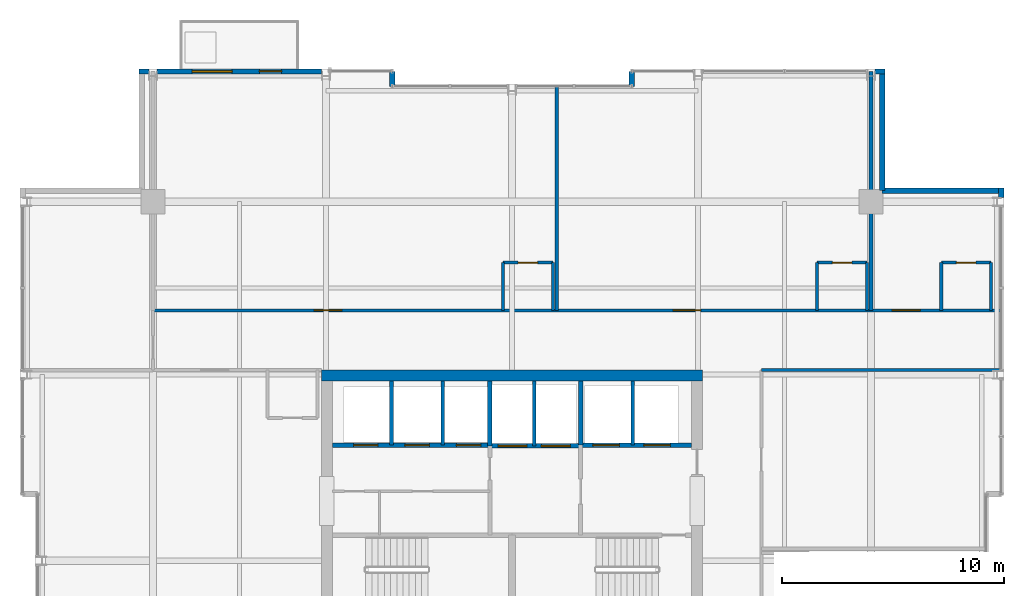
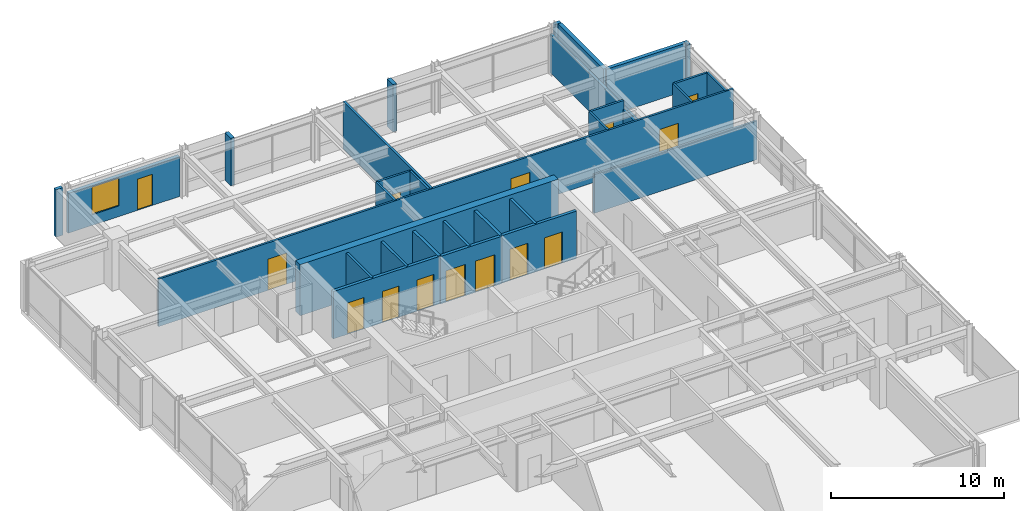
# One storey, part 27 of 30: 31 walls, 14 doors, 1 window, 15 openings.
"""IFC4 building model written with IfcOpenShell, lengths in metres."""

from ifc_helpers import new_model, si_unit, direction, frame, frame_2d, origin, place, context, subcontext, project, spatial, rectangle, extrude, material, layer, layer_set, type_object, element, fill, save


model = new_model("IFC4")

# Units and contexts
model_context = context("Model", 3, precision=1e-05, world=origin(), true_north=direction((0.0, 1.0)))
body_context = subcontext(model_context, "Body", "Model", "MODEL_VIEW")
ifc_project = project(units=[si_unit("LENGTHUNIT", "METRE"), si_unit("AREAUNIT", "SQUARE_METRE"), si_unit("VOLUMEUNIT", "CUBIC_METRE"), si_unit("PLANEANGLEUNIT", "RADIAN"), si_unit("MASSUNIT", "GRAM", prefix="KILO")], contexts=[model_context])

# Site, building, storey
site_placement = place(None, origin())
site = spatial("IfcSite", under=ifc_project, at=site_placement, CompositionType="ELEMENT")
building_placement = place(site_placement, origin())
building = spatial("IfcBuilding", under=site, at=building_placement, Name="Drelvath Grand Hotel", CompositionType="ELEMENT")
storey_placement = place(building_placement, frame((0.0, 0.0, 215.89990234375)))
storey = spatial("IfcBuildingStorey", under=building, at=storey_placement, Name="L56", CompositionType="ELEMENT", Elevation=215.89990234375)

# Wall, openings, doors
ifc_material_1 = material(Name="Concrete C40/50", Category="concrete")
ifc_layer_1 = layer(ifc_material_1, 0.199951171875)
ifc_layer_set_1 = layer_set([ifc_layer_1], Name="Concrete C40/50")
wall_type_1 = type_object("IfcWallType", Name="Core Hoistway Fire Wall 200", PredefinedType="SOLIDWALL", material=ifc_layer_set_1)
wall_1_placement = place(storey_placement, frame((3.10009765625, 32.219970703125, 0.0), z_axis=(0.0, 0.0, 1.0), x_axis=(1.0, 0.0, 0.0)))
wall_1 = element("IfcWall", 1, at=wall_1_placement, inside=storey, type_object=wall_type_1, Name="L56 FSAE Hoistway Front Wall", PredefinedType="SOLIDWALL", context=body_context, shape_type="SweptSolid", body=[
    extrude(rectangle(XDim=5.0, YDim=0.199951171875, at=frame_2d((2.5, 0.0))), origin(), (0.0, 0.0, 1.0), 3.340087890625),
])
opening_1_placement = place(wall_1_placement, frame((0.550048828125, 0.0, 0.0)))
opening_1 = element("IfcOpeningElement", 2, at=opening_1_placement, cuts=wall_1, Name="Opening LD-FSAE-1", PredefinedType="OPENING", context=body_context, shape_type="SweptSolid", body=[
    extrude(rectangle(XDim=1.199951171875, YDim=2.199951171875, at=frame_2d((0.60009765625, 1.10009765625))), frame((0.0, 0.10986328125, 0.0), z_axis=(0.0, -1.0, 0.0), x_axis=(1.0, 0.0, 0.0)), (0.0, 0.0, 1.0), 0.219970703125),
])
opening_2_placement = place(wall_1_placement, frame((2.85009765625, 0.0, 0.0)))
opening_2 = element("IfcOpeningElement", 3, at=opening_2_placement, cuts=wall_1, Name="Opening LD-FSAE-2", PredefinedType="OPENING", context=body_context, shape_type="SweptSolid", body=[
    extrude(rectangle(XDim=1.199951171875, YDim=2.199951171875, at=frame_2d((0.60009765625, 1.10009765625))), frame((0.0, 0.10986328125, 0.0), z_axis=(0.0, -1.0, 0.0), x_axis=(1.0, 0.0, 0.0)), (0.0, 0.0, 1.0), 0.219970703125),
])
ifc_material_2 = material(Name="Stainless Steel S355", Category="steel")
door_type_1 = type_object("IfcDoorType", Name="FSAE Lift Sliding Landing Door 1200x2200", OperationType="NOTDEFINED", PredefinedType="DOOR", material=ifc_material_2)
door_1_placement = place(opening_1_placement, origin())
door_1 = element("IfcDoor", 4, at=door_1_placement, inside=storey, type_object=door_type_1, Name="L56 Lift FSAE-1 Landing Door", OperationType="SLIDING_TO_LEFT", OverallHeight=2.199951171875, OverallWidth=1.199951171875, PredefinedType="DOOR", context=body_context, shape_type="SweptSolid", body=[
    extrude(rectangle(XDim=1.199951171875, YDim=2.199951171875, at=frame_2d((0.60009765625, 1.10009765625))), frame((0.0, 0.02490234375, 0.0), z_axis=(0.0, -1.0, 0.0), x_axis=(1.0, 0.0, 0.0)), (0.0, 0.0, 1.0), 0.050048828125),
])
fill(opening_1, door_1)
door_2_placement = place(opening_2_placement, origin())
door_2 = element("IfcDoor", 5, at=door_2_placement, inside=storey, type_object=door_type_1, Name="L56 Lift FSAE-2 Landing Door", OperationType="SLIDING_TO_LEFT", OverallHeight=2.199951171875, OverallWidth=1.199951171875, PredefinedType="DOOR", context=body_context, shape_type="SweptSolid", body=[
    extrude(rectangle(XDim=1.199951171875, YDim=2.199951171875, at=frame_2d((0.60009765625, 1.10009765625))), frame((0.0, 0.02490234375, 0.0), z_axis=(0.0, -1.0, 0.0), x_axis=(1.0, 0.0, 0.0)), (0.0, 0.0, 1.0), 0.050048828125),
])
fill(opening_2, door_2)

# Wall
wall_2_placement = place(storey_placement, frame((3.10009765625, 32.219970703125, 0.0), z_axis=(0.0, 0.0, 1.0), x_axis=(0.0, 1.0, 0.0)))
element("IfcWall", 6, at=wall_2_placement, inside=storey, type_object=wall_type_1, Name="L56 FSAE Hoistway West Wall", PredefinedType="SOLIDWALL", context=body_context, shape_type="SweptSolid", body=[
    extrude(rectangle(XDim=2.880126953125, YDim=0.199951171875, at=frame_2d((1.43994140625, 0.0))), origin(), (0.0, 0.0, 1.0), 3.340087890625),
])

# Wall, openings, doors
wall_3_placement = place(storey_placement, frame((-1.0, 32.179931640625, 0.0), z_axis=(0.0, 0.0, 1.0), x_axis=(1.0, 0.0, 0.0)))
wall_3 = element("IfcWall", 7, at=wall_3_placement, inside=storey, type_object=wall_type_1, Name="L56 Service Lift Hoistway Wall", PredefinedType="SOLIDWALL", context=body_context, shape_type="SweptSolid", body=[
    extrude(rectangle(XDim=4.10009765625, YDim=0.199951171875, at=frame_2d((2.050048828125, 0.0))), origin(), (0.0, 0.0, 1.0), 3.340087890625),
])
opening_3_placement = place(wall_3_placement, frame((0.3701171875, 0.0, 0.0)))
opening_3 = element("IfcOpeningElement", 8, at=opening_3_placement, cuts=wall_3, Name="Opening LD-SV-2", PredefinedType="OPENING", context=body_context, shape_type="SweptSolid", body=[
    extrude(rectangle(XDim=1.300048828125, YDim=2.199951171875, at=frame_2d((0.64990234375, 1.10009765625))), frame((0.0, 0.10986328125, 0.0), z_axis=(0.0, -1.0, 0.0), x_axis=(1.0, 0.0, 0.0)), (0.0, 0.0, 1.0), 0.219970703125),
])
opening_4_placement = place(wall_3_placement, frame((2.330078125, 0.0, 0.0)))
opening_4 = element("IfcOpeningElement", 9, at=opening_4_placement, cuts=wall_3, Name="Opening LD-SV-1", PredefinedType="OPENING", context=body_context, shape_type="SweptSolid", body=[
    extrude(rectangle(XDim=1.300048828125, YDim=2.199951171875, at=frame_2d((0.64990234375, 1.10009765625))), frame((0.0, 0.10986328125, 0.0), z_axis=(0.0, -1.0, 0.0), x_axis=(1.0, 0.0, 0.0)), (0.0, 0.0, 1.0), 0.219970703125),
])
door_type_2 = type_object("IfcDoorType", Name="Service Lift Sliding Landing Door 1300x2200", OperationType="NOTDEFINED", PredefinedType="DOOR", material=ifc_material_2)
door_3_placement = place(opening_3_placement, origin())
door_3 = element("IfcDoor", 10, at=door_3_placement, inside=storey, type_object=door_type_2, Name="L56 Lift SV-2 Landing Door", OperationType="SLIDING_TO_LEFT", OverallHeight=2.199951171875, OverallWidth=1.300048828125, PredefinedType="DOOR", context=body_context, shape_type="SweptSolid", body=[
    extrude(rectangle(XDim=1.300048828125, YDim=2.199951171875, at=frame_2d((0.64990234375, 1.10009765625))), frame((0.0, 0.02490234375, 0.0), z_axis=(0.0, -1.0, 0.0), x_axis=(1.0, 0.0, 0.0)), (0.0, 0.0, 1.0), 0.050048828125),
])
fill(opening_3, door_3)
door_4_placement = place(opening_4_placement, origin())
door_4 = element("IfcDoor", 11, at=door_4_placement, inside=storey, type_object=door_type_2, Name="L56 Lift SV-1 Landing Door", OperationType="SLIDING_TO_LEFT", OverallHeight=2.199951171875, OverallWidth=1.300048828125, PredefinedType="DOOR", context=body_context, shape_type="SweptSolid", body=[
    extrude(rectangle(XDim=1.300048828125, YDim=2.199951171875, at=frame_2d((0.64990234375, 1.10009765625))), frame((0.0, 0.02490234375, 0.0), z_axis=(0.0, -1.0, 0.0), x_axis=(1.0, 0.0, 0.0)), (0.0, 0.0, 1.0), 0.050048828125),
])
fill(opening_4, door_4)

# Wall
wall_4_placement = place(storey_placement, frame((-1.0, 32.179931640625, 0.0), z_axis=(0.0, 0.0, 1.0), x_axis=(0.0, 1.0, 0.0)))
element("IfcWall", 12, at=wall_4_placement, inside=storey, type_object=wall_type_1, Name="L56 Service Lift West Wall", PredefinedType="SOLIDWALL", context=body_context, shape_type="SweptSolid", body=[
    extrude(rectangle(XDim=2.920166015625, YDim=0.199951171875, at=frame_2d((1.4599609375, 0.0))), origin(), (0.0, 0.0, 1.0), 3.340087890625),
])

# Wall, openings, doors
wall_5_placement = place(storey_placement, frame((-8.10009765625, 32.219970703125, 0.0), z_axis=(0.0, 0.0, 1.0), x_axis=(1.0, 0.0, 0.0)))
wall_5 = element("IfcWall", 13, at=wall_5_placement, inside=storey, type_object=wall_type_1, Name="L56 Bank 3 Hoistway Wall", PredefinedType="SOLIDWALL", context=body_context, shape_type="SweptSolid", body=[
    extrude(rectangle(XDim=7.10009765625, YDim=0.199951171875, at=frame_2d((3.550048828125, 0.0))), origin(), (0.0, 0.0, 1.0), 3.340087890625),
])
opening_5_placement = place(wall_5_placement, frame((0.949951171875, 0.0, 0.0)))
opening_5 = element("IfcOpeningElement", 14, at=opening_5_placement, cuts=wall_5, Name="Opening LD-PE-7", PredefinedType="OPENING", context=body_context, shape_type="SweptSolid", body=[
    extrude(rectangle(XDim=1.10009765625, YDim=2.199951171875, at=frame_2d((0.550048828125, 1.10009765625))), frame((0.0, 0.10986328125, 0.0), z_axis=(0.0, -1.0, 0.0), x_axis=(1.0, 0.0, 0.0)), (0.0, 0.0, 1.0), 0.219970703125),
])
opening_6_placement = place(wall_5_placement, frame((3.27001953125, 0.0, 0.0)))
opening_6 = element("IfcOpeningElement", 15, at=opening_6_placement, cuts=wall_5, Name="Opening LD-PE-8", PredefinedType="OPENING", context=body_context, shape_type="SweptSolid", body=[
    extrude(rectangle(XDim=1.10009765625, YDim=2.199951171875, at=frame_2d((0.550048828125, 1.10009765625))), frame((0.0, 0.10986328125, 0.0), z_axis=(0.0, -1.0, 0.0), x_axis=(1.0, 0.0, 0.0)), (0.0, 0.0, 1.0), 0.219970703125),
])
opening_7_placement = place(wall_5_placement, frame((5.590087890625, 0.0, 0.0)))
opening_7 = element("IfcOpeningElement", 16, at=opening_7_placement, cuts=wall_5, Name="Opening LD-PE-9", PredefinedType="OPENING", context=body_context, shape_type="SweptSolid", body=[
    extrude(rectangle(XDim=1.10009765625, YDim=2.199951171875, at=frame_2d((0.550048828125, 1.10009765625))), frame((0.0, 0.10986328125, 0.0), z_axis=(0.0, -1.0, 0.0), x_axis=(1.0, 0.0, 0.0)), (0.0, 0.0, 1.0), 0.219970703125),
])
door_type_3 = type_object("IfcDoorType", Name="Passenger Lift Sliding Landing Door 1100x2200", OperationType="NOTDEFINED", PredefinedType="DOOR", material=ifc_material_2)
door_5_placement = place(opening_5_placement, origin())
door_5 = element("IfcDoor", 17, at=door_5_placement, inside=storey, type_object=door_type_3, Name="L56 Lift PE-7 Landing Door", OperationType="SLIDING_TO_LEFT", OverallHeight=2.199951171875, OverallWidth=1.10009765625, PredefinedType="DOOR", context=body_context, shape_type="SweptSolid", body=[
    extrude(rectangle(XDim=1.10009765625, YDim=2.199951171875, at=frame_2d((0.550048828125, 1.10009765625))), frame((0.0, 0.02490234375, 0.0), z_axis=(0.0, -1.0, 0.0), x_axis=(1.0, 0.0, 0.0)), (0.0, 0.0, 1.0), 0.050048828125),
])
fill(opening_5, door_5)
door_6_placement = place(opening_6_placement, origin())
door_6 = element("IfcDoor", 18, at=door_6_placement, inside=storey, type_object=door_type_3, Name="L56 Lift PE-8 Landing Door", OperationType="SLIDING_TO_LEFT", OverallHeight=2.199951171875, OverallWidth=1.10009765625, PredefinedType="DOOR", context=body_context, shape_type="SweptSolid", body=[
    extrude(rectangle(XDim=1.10009765625, YDim=2.199951171875, at=frame_2d((0.550048828125, 1.10009765625))), frame((0.0, 0.02490234375, 0.0), z_axis=(0.0, -1.0, 0.0), x_axis=(1.0, 0.0, 0.0)), (0.0, 0.0, 1.0), 0.050048828125),
])
fill(opening_6, door_6)
door_7_placement = place(opening_7_placement, origin())
door_7 = element("IfcDoor", 19, at=door_7_placement, inside=storey, type_object=door_type_3, Name="L56 Lift PE-9 Landing Door", OperationType="SLIDING_TO_LEFT", OverallHeight=2.199951171875, OverallWidth=1.10009765625, PredefinedType="DOOR", context=body_context, shape_type="SweptSolid", body=[
    extrude(rectangle(XDim=1.10009765625, YDim=2.199951171875, at=frame_2d((0.550048828125, 1.10009765625))), frame((0.0, 0.02490234375, 0.0), z_axis=(0.0, -1.0, 0.0), x_axis=(1.0, 0.0, 0.0)), (0.0, 0.0, 1.0), 0.050048828125),
])
fill(opening_7, door_7)

# Walls
ifc_material_3 = material(Name="Gypsum Fireboard Partition")
ifc_layer_2 = layer(ifc_material_3, 0.1650390625)
ifc_layer_set_2 = layer_set([ifc_layer_2], Name="Gypsum Fireboard Partition")
wall_type_2 = type_object("IfcWallType", Name="Core Shaft Partition 165", PredefinedType="PARTITIONING", material=ifc_layer_set_2)
wall_6_placement = place(storey_placement, frame((5.449951171875, 32.219970703125, 0.0), z_axis=(0.0, 0.0, 1.0), x_axis=(0.0, 1.0, 0.0)))
element("IfcWall", 20, at=wall_6_placement, inside=storey, type_object=wall_type_2, Name="L56 FSAE Hoistway Divider", PredefinedType="PARTITIONING", context=body_context, shape_type="SweptSolid", body=[
    extrude(rectangle(XDim=2.880126953125, YDim=0.1650390625, at=frame_2d((1.43994140625, 0.0))), origin(), (0.0, 0.0, 1.0), 3.340087890625),
])
wall_7_placement = place(storey_placement, frame((1.0, 32.179931640625, 0.0), z_axis=(0.0, 0.0, 1.0), x_axis=(0.0, 1.0, 0.0)))
element("IfcWall", 21, at=wall_7_placement, inside=storey, type_object=wall_type_2, Name="L56 Service Lift Divider", PredefinedType="PARTITIONING", context=body_context, shape_type="SweptSolid", body=[
    extrude(rectangle(XDim=2.920166015625, YDim=0.1650390625, at=frame_2d((1.4599609375, 0.0))), origin(), (0.0, 0.0, 1.0), 3.340087890625),
])
for number, where, z_axis, x_axis, name in (
    (22, (-5.43994140625, 32.219970703125, 0.0), (0.0, 0.0, 1.0), (0.0, 1.0, 0.0), "L56 Lift PE-7/8 Divider"),
    (23, (-3.1201171875, 32.219970703125, 0.0), (0.0, 0.0, 1.0), (0.0, 1.0, 0.0), "L56 Lift PE-8/9 Divider"),
):
    element("IfcWall", number, at=place(storey_placement, frame(where, z_axis=z_axis, x_axis=x_axis)), inside=storey, type_object=wall_type_2, Name=name, PredefinedType="PARTITIONING", context=body_context, shape_type="SweptSolid", body=[
        extrude(rectangle(XDim=2.880126953125, YDim=0.1650390625, at=frame_2d((1.43994140625, 0.0))), origin(), (0.0, 0.0, 1.0), 3.340087890625),
    ])

# Wall, openings, doors
ifc_layer_3 = layer(ifc_material_3, 0.135009765625)
ifc_layer_set_3 = layer_set([ifc_layer_3], Name="Gypsum Fireboard Partition")
wall_type_3 = type_object("IfcWallType", Name="Corridor Fire Barrier Wall 135", PredefinedType="PARTITIONING", material=ifc_layer_set_3)
wall_8_placement = place(storey_placement, frame((-16.199951171875, 38.300048828125, 0.0), z_axis=(0.0, 0.0, 1.0), x_axis=(1.0, 0.0, 0.0)))
wall_8 = element("IfcWall", 24, at=wall_8_placement, inside=storey, type_object=wall_type_3, Name="L56 North Cross-Gallery Wall", PredefinedType="PARTITIONING", context=body_context, shape_type="SweptSolid", body=[
    extrude(rectangle(XDim=38.280029296875, YDim=0.135009765625, at=frame_2d((19.14013671875, 0.0))), origin(), (0.0, 0.0, 1.0), 3.340087890625),
])
opening_8_placement = place(wall_8_placement, frame((33.35498046875, 0.0, 0.0)))
opening_8 = element("IfcOpeningElement", 25, at=opening_8_placement, cuts=wall_8, Name="Opening D-T4G2-025", PredefinedType="OPENING", context=body_context, shape_type="SweptSolid", body=[
    extrude(rectangle(XDim=1.260009765625, YDim=2.199951171875, at=frame_2d((0.6298828125, 1.10009765625))), frame((0.0, 0.077392578125, 0.0), z_axis=(0.0, -1.0, 0.0), x_axis=(1.0, 0.0, 0.0)), (0.0, 0.0, 1.0), 0.155029296875),
])
opening_9_placement = place(wall_8_placement, frame((7.267578125, 0.0, 0.0)))
opening_9 = element("IfcOpeningElement", 26, at=opening_9_placement, cuts=wall_8, Name="Opening D-T4G2-032", PredefinedType="OPENING", context=body_context, shape_type="SweptSolid", body=[
    extrude(rectangle(XDim=1.260009765625, YDim=2.199951171875, at=frame_2d((0.6298828125, 1.10009765625))), frame((0.0, 0.077392578125, 0.0), z_axis=(0.0, -1.0, 0.0), x_axis=(1.0, 0.0, 0.0)), (0.0, 0.0, 1.0), 0.155029296875),
])
opening_10_placement = place(wall_8_placement, frame((23.467529296875, 0.0, 0.0)))
opening_10 = element("IfcOpeningElement", 27, at=opening_10_placement, cuts=wall_8, Name="Opening D-T4G2-034", PredefinedType="OPENING", context=body_context, shape_type="SweptSolid", body=[
    extrude(rectangle(XDim=1.260009765625, YDim=2.199951171875, at=frame_2d((0.6298828125, 1.10009765625))), frame((0.0, 0.077392578125, 0.0), z_axis=(0.0, -1.0, 0.0), x_axis=(1.0, 0.0, 0.0)), (0.0, 0.0, 1.0), 0.155029296875),
])
ifc_material_4 = material(Name="Hardwood Walnut Timber", Category="wood")
door_type_4 = type_object("IfcDoorType", Name="Suite Entrance Fire Door 1260x2200", OperationType="NOTDEFINED", PredefinedType="DOOR", material=ifc_material_4)
door_8_placement = place(opening_8_placement, origin())
door_8 = element("IfcDoor", 28, at=door_8_placement, inside=storey, type_object=door_type_4, Name="L56 Diplomatic Suite Entry Door", OperationType="SINGLE_SWING_RIGHT", OverallHeight=2.199951171875, OverallWidth=1.260009765625, PredefinedType="DOOR", context=body_context, shape_type="SweptSolid", body=[
    extrude(rectangle(XDim=1.260009765625, YDim=2.199951171875, at=frame_2d((0.6298828125, 1.10009765625))), frame((0.0, 0.02490234375, 0.0), z_axis=(0.0, -1.0, 0.0), x_axis=(1.0, 0.0, 0.0)), (0.0, 0.0, 1.0), 0.050048828125),
])
fill(opening_8, door_8)
door_9_placement = place(opening_9_placement, origin())
door_9 = element("IfcDoor", 29, at=door_9_placement, inside=storey, type_object=door_type_4, Name="L56 Diplomatic Suite Entry Door", OperationType="SINGLE_SWING_LEFT", OverallHeight=2.199951171875, OverallWidth=1.260009765625, PredefinedType="DOOR", context=body_context, shape_type="SweptSolid", body=[
    extrude(rectangle(XDim=1.260009765625, YDim=2.199951171875, at=frame_2d((0.6298828125, 1.10009765625))), frame((0.0, 0.02490234375, 0.0), z_axis=(0.0, -1.0, 0.0), x_axis=(1.0, 0.0, 0.0)), (0.0, 0.0, 1.0), 0.050048828125),
])
fill(opening_9, door_9)
door_10_placement = place(opening_10_placement, origin())
door_10 = element("IfcDoor", 30, at=door_10_placement, inside=storey, type_object=door_type_4, Name="L56 Diplomatic Suite Entry Door", OperationType="SINGLE_SWING_LEFT", OverallHeight=2.199951171875, OverallWidth=1.260009765625, PredefinedType="DOOR", context=body_context, shape_type="SweptSolid", body=[
    extrude(rectangle(XDim=1.260009765625, YDim=2.199951171875, at=frame_2d((0.6298828125, 1.10009765625))), frame((0.0, 0.02490234375, 0.0), z_axis=(0.0, -1.0, 0.0), x_axis=(1.0, 0.0, 0.0)), (0.0, 0.0, 1.0), 0.050048828125),
])
fill(opening_10, door_10)

# Walls
wall_9_placement = place(storey_placement, frame((11.25, 35.60009765625, 0.0), z_axis=(0.0, 0.0, 1.0), x_axis=(1.0, 0.0, 0.0)))
element("IfcWall", 31, at=wall_9_placement, inside=storey, type_object=wall_type_3, Name="L56 North Gallery Inner East Wall", PredefinedType="PARTITIONING", context=body_context, shape_type="SweptSolid", body=[
    extrude(rectangle(XDim=10.830078125, YDim=0.135009765625, at=frame_2d((5.4150390625, 0.0))), origin(), (0.0, 0.0, 1.0), 2.717529296875),
])
ifc_material_5 = material(Name="Moisture-Resistant Gypsum Board")
ifc_layer_4 = layer(ifc_material_5, 0.139892578125)
ifc_layer_set_4 = layer_set([ifc_layer_4], Name="Moisture-Resistant Gypsum Board")
wall_type_4 = type_object("IfcWallType", Name="En-Suite Plumbing Wall 140", PredefinedType="PLUMBINGWALL", material=ifc_layer_set_4)
for number, where, z_axis, x_axis, name in (
    (32, (19.3701171875, 38.300048828125, 0.0), (0.0, 0.0, 1.0), (0.0, 1.0, 0.0), "L56 En-Suite Left Wall"),
    (33, (21.6201171875, 38.300048828125, 0.0), (0.0, 0.0, 1.0), (0.0, 1.0, 0.0), "L56 En-Suite Right Wall"),
):
    element("IfcWall", number, at=place(storey_placement, frame(where, z_axis=z_axis, x_axis=x_axis)), inside=storey, type_object=wall_type_4, Name=name, PredefinedType="PLUMBINGWALL", context=body_context, shape_type="SweptSolid", body=[
        extrude(rectangle(XDim=2.14990234375, YDim=0.139892578125, at=frame_2d((1.074951171875, 0.0))), origin(), (0.0, 0.0, 1.0), 3.340087890625),
    ])

# Wall, opening, door
wall_10_placement = place(storey_placement, frame((19.3701171875, 40.449951171875, 0.0), z_axis=(0.0, 0.0, 1.0), x_axis=(1.0, 0.0, 0.0)))
wall_10 = element("IfcWall", 34, at=wall_10_placement, inside=storey, type_object=wall_type_4, Name="L56 En-Suite Front Wall", PredefinedType="PLUMBINGWALL", context=body_context, shape_type="SweptSolid", body=[
    extrude(rectangle(XDim=2.25, YDim=0.139892578125, at=frame_2d((1.125, 0.0))), origin(), (0.0, 0.0, 1.0), 3.340087890625),
])
opening_11_placement = place(wall_10_placement, frame((0.68505859375, 0.0, 0.0)))
opening_11 = element("IfcOpeningElement", 35, at=opening_11_placement, cuts=wall_10, Name="Opening D-T4G2-024", PredefinedType="OPENING", context=body_context, shape_type="SweptSolid", body=[
    extrude(rectangle(XDim=0.8798828125, YDim=2.10009765625, at=frame_2d((0.43994140625, 1.050048828125))), frame((0.0, 0.079833984375, 0.0), z_axis=(0.0, -1.0, 0.0), x_axis=(1.0, 0.0, 0.0)), (0.0, 0.0, 1.0), 0.159912109375),
])
door_type_5 = type_object("IfcDoorType", Name="En-Suite Bathroom Door 880x2100", OperationType="NOTDEFINED", PredefinedType="DOOR", material=ifc_material_4)
door_11_placement = place(opening_11_placement, origin())
door_11 = element("IfcDoor", 36, at=door_11_placement, inside=storey, type_object=door_type_5, Name="L56 En-Suite Bathroom Door", OperationType="SINGLE_SWING_LEFT", OverallHeight=2.10009765625, OverallWidth=0.8798828125, PredefinedType="DOOR", context=body_context, shape_type="SweptSolid", body=[
    extrude(rectangle(XDim=0.8798828125, YDim=2.10009765625, at=frame_2d((0.43994140625, 1.050048828125))), frame((0.0, 0.02490234375, 0.0), z_axis=(0.0, -1.0, 0.0), x_axis=(1.0, 0.0, 0.0)), (0.0, 0.0, 1.0), 0.050048828125),
])
fill(opening_11, door_11)

# Walls
for number, where, z_axis, x_axis, name in (
    (37, (-0.405029296875, 38.300048828125, 0.0), (0.0, 0.0, 1.0), (0.0, 1.0, 0.0), "L56 En-Suite Left Wall"),
    (38, (1.844970703125, 38.300048828125, 0.0), (0.0, 0.0, 1.0), (0.0, 1.0, 0.0), "L56 En-Suite Right Wall"),
):
    element("IfcWall", number, at=place(storey_placement, frame(where, z_axis=z_axis, x_axis=x_axis)), inside=storey, type_object=wall_type_4, Name=name, PredefinedType="PLUMBINGWALL", context=body_context, shape_type="SweptSolid", body=[
        extrude(rectangle(XDim=2.14990234375, YDim=0.139892578125, at=frame_2d((1.074951171875, 0.0))), origin(), (0.0, 0.0, 1.0), 3.340087890625),
    ])

# Wall, opening, door
wall_11_placement = place(storey_placement, frame((-0.405029296875, 40.449951171875, 0.0), z_axis=(0.0, 0.0, 1.0), x_axis=(1.0, 0.0, 0.0)))
wall_11 = element("IfcWall", 39, at=wall_11_placement, inside=storey, type_object=wall_type_4, Name="L56 En-Suite Front Wall", PredefinedType="PLUMBINGWALL", context=body_context, shape_type="SweptSolid", body=[
    extrude(rectangle(XDim=2.25, YDim=0.139892578125, at=frame_2d((1.125, 0.0))), origin(), (0.0, 0.0, 1.0), 3.340087890625),
])
opening_12_placement = place(wall_11_placement, frame((0.68505859375, 0.0, 0.0)))
opening_12 = element("IfcOpeningElement", 40, at=opening_12_placement, cuts=wall_11, Name="Opening D-T4G2-031", PredefinedType="OPENING", context=body_context, shape_type="SweptSolid", body=[
    extrude(rectangle(XDim=0.8798828125, YDim=2.10009765625, at=frame_2d((0.43994140625, 1.050048828125))), frame((0.0, 0.079833984375, 0.0), z_axis=(0.0, -1.0, 0.0), x_axis=(1.0, 0.0, 0.0)), (0.0, 0.0, 1.0), 0.159912109375),
])
door_12_placement = place(opening_12_placement, origin())
door_12 = element("IfcDoor", 41, at=door_12_placement, inside=storey, type_object=door_type_5, Name="L56 En-Suite Bathroom Door", OperationType="SINGLE_SWING_RIGHT", OverallHeight=2.10009765625, OverallWidth=0.8798828125, PredefinedType="DOOR", context=body_context, shape_type="SweptSolid", body=[
    extrude(rectangle(XDim=0.8798828125, YDim=2.10009765625, at=frame_2d((0.43994140625, 1.050048828125))), frame((0.0, 0.02490234375, 0.0), z_axis=(0.0, -1.0, 0.0), x_axis=(1.0, 0.0, 0.0)), (0.0, 0.0, 1.0), 0.050048828125),
])
fill(opening_12, door_12)

# Walls
wall_12_placement = place(storey_placement, frame((13.77001953125, 38.300048828125, 0.0), z_axis=(0.0, 0.0, 1.0), x_axis=(0.0, 1.0, 0.0)))
element("IfcWall", 42, at=wall_12_placement, inside=storey, type_object=wall_type_4, Name="L56 En-Suite Left Wall", PredefinedType="PLUMBINGWALL", context=body_context, shape_type="SweptSolid", body=[
    extrude(rectangle(XDim=2.14990234375, YDim=0.139892578125, at=frame_2d((1.074951171875, 0.0))), origin(), (0.0, 0.0, 1.0), 3.340087890625),
])
wall_13_placement = place(storey_placement, frame((16.02001953125, 38.300048828125, 0.0), z_axis=(0.0, 0.0, 1.0), x_axis=(0.0, 1.0, 0.0)))
element("IfcWall", 43, at=wall_13_placement, inside=storey, type_object=wall_type_4, Name="L56 En-Suite Right Wall", PredefinedType="PLUMBINGWALL", context=body_context, shape_type="SweptSolid", body=[
    extrude(rectangle(XDim=2.14990234375, YDim=0.139892578125, at=frame_2d((1.074951171875, 0.0))), origin(), (0.0, 0.0, 1.0), 2.7138671875),
])

# Wall, opening, door
wall_14_placement = place(storey_placement, frame((13.77001953125, 40.449951171875, 0.0), z_axis=(0.0, 0.0, 1.0), x_axis=(1.0, 0.0, 0.0)))
wall_14 = element("IfcWall", 44, at=wall_14_placement, inside=storey, type_object=wall_type_4, Name="L56 En-Suite Front Wall", PredefinedType="PLUMBINGWALL", context=body_context, shape_type="SweptSolid", body=[
    extrude(rectangle(XDim=2.25, YDim=0.139892578125, at=frame_2d((1.125, 0.0))), origin(), (0.0, 0.0, 1.0), 3.340087890625),
])
opening_13_placement = place(wall_14_placement, frame((0.68505859375, 0.0, 0.0)))
opening_13 = element("IfcOpeningElement", 45, at=opening_13_placement, cuts=wall_14, Name="Opening D-T4G2-033", PredefinedType="OPENING", context=body_context, shape_type="SweptSolid", body=[
    extrude(rectangle(XDim=0.8798828125, YDim=2.10009765625, at=frame_2d((0.43994140625, 1.050048828125))), frame((0.0, 0.079833984375, 0.0), z_axis=(0.0, -1.0, 0.0), x_axis=(1.0, 0.0, 0.0)), (0.0, 0.0, 1.0), 0.159912109375),
])
door_13_placement = place(opening_13_placement, origin())
door_13 = element("IfcDoor", 46, at=door_13_placement, inside=storey, type_object=door_type_5, Name="L56 En-Suite Bathroom Door", OperationType="SINGLE_SWING_RIGHT", OverallHeight=2.10009765625, OverallWidth=0.8798828125, PredefinedType="DOOR", context=body_context, shape_type="SweptSolid", body=[
    extrude(rectangle(XDim=0.8798828125, YDim=2.10009765625, at=frame_2d((0.43994140625, 1.050048828125))), frame((0.0, 0.02490234375, 0.0), z_axis=(0.0, -1.0, 0.0), x_axis=(1.0, 0.0, 0.0)), (0.0, 0.0, 1.0), 0.050048828125),
])
fill(opening_13, door_13)

# Walls
ifc_material_6 = material(Name="Gypsum Acoustic Partition")
ifc_layer_5 = layer(ifc_material_6, 0.14990234375)
ifc_layer_set_5 = layer_set([ifc_layer_5], Name="Gypsum Acoustic Partition")
wall_type_5 = type_object("IfcWallType", Name="Guestroom Demising Wall 150", PredefinedType="PARTITIONING", material=ifc_layer_set_5)
wall_15_placement = place(storey_placement, frame((2.02490234375, 38.300048828125, 0.0), z_axis=(0.0, 0.0, 1.0), x_axis=(0.0, 1.0, 0.0)))
element("IfcWall", 47, at=wall_15_placement, inside=storey, type_object=wall_type_5, Name="L56 North Demising 1", PredefinedType="PARTITIONING", context=body_context, shape_type="SweptSolid", body=[
    extrude(rectangle(XDim=10.099853515625, YDim=0.14990234375, at=frame_2d((5.0498046875, 0.0))), origin(), (0.0, 0.0, 1.0), 3.340087890625),
])
ifc_layer_6 = layer(ifc_material_6, 0.1650390625)
ifc_layer_set_6 = layer_set([ifc_layer_6], Name="Gypsum Acoustic Partition")
wall_type_6 = type_object("IfcWallType", Name="Suite Demising Wall 165", PredefinedType="PARTITIONING", material=ifc_layer_set_6)
wall_16_placement = place(storey_placement, frame((16.199951171875, 38.300048828125, 0.0), z_axis=(0.0, 0.0, 1.0), x_axis=(0.0, 1.0, 0.0)))
element("IfcWall", 48, at=wall_16_placement, inside=storey, type_object=wall_type_6, Name="L56 NE Suite Wall", PredefinedType="PARTITIONING", context=body_context, shape_type="SweptSolid", body=[
    extrude(rectangle(XDim=10.780029296875, YDim=0.1650390625, at=frame_2d((5.39013671875, 0.0))), origin(), (0.0, 0.0, 1.0), 2.7138671875),
])
ifc_material_7 = material(Name="Pale-Metal Insulated Aluminium Spandrel Assembly", Category="aluminium")
ifc_layer_7 = layer(ifc_material_7, 0.239990234375)
ifc_layer_set_7 = layer_set([ifc_layer_7], Name="Pale-Metal Insulated Aluminium Spandrel Assembly")
wall_type_7 = type_object("IfcWallType", Name="Tower Insulated Metal Spandrel Closure Wall 240", PredefinedType="STANDARD", material=ifc_layer_set_7)
for number, where, z_axis, x_axis, name in (
    (49, (22.080078125, 43.820068359375, 0.0), (0.0, 0.0, 1.0), (0.0, -1.0, 0.0), "L56 Corner Pier Spandrel Wall EN3"),
    (50, (-16.820068359375, 49.080078125, 0.0), (0.0, 0.0, 1.0), (1.0, 0.0, 0.0), "L56 Corner Pier Spandrel Wall NW1"),
):
    element("IfcWall", number, at=place(storey_placement, frame(where, z_axis=z_axis, x_axis=x_axis)), inside=storey, type_object=wall_type_7, Name=name, PredefinedType="STANDARD", context=body_context, shape_type="SweptSolid", body=[
        extrude(rectangle(XDim=0.434814453125, YDim=0.239990234375, at=frame_2d((0.21728515625, 0.0))), origin(), (0.0, 0.0, 1.0), 3.340087890625),
    ])

# Wall, openings, window, door
wall_17_placement = place(storey_placement, frame((-16.0146484375, 49.080078125, 0.0), z_axis=(0.0, 0.0, 1.0), x_axis=(1.0, 0.0, 0.0)))
wall_17 = element("IfcWall", 51, at=wall_17_placement, inside=storey, type_object=wall_type_7, Name="L56 Exterior Terrace Door Bay Wall NW2", PredefinedType="STANDARD", context=body_context, shape_type="SweptSolid", body=[
    extrude(rectangle(XDim=7.429443359375, YDim=0.239990234375, at=frame_2d((3.71484375, 0.0))), origin(), (0.0, 0.0, 1.0), 2.803466796875),
])
opening_14_placement = place(wall_17_placement, frame((4.61474609375, 0.0, 0.0)))
opening_14 = element("IfcOpeningElement", 52, at=opening_14_placement, cuts=wall_17, Name="Opening TD-1000", PredefinedType="OPENING", context=body_context, shape_type="SweptSolid", body=[
    extrude(rectangle(XDim=1.0, YDim=2.199951171875, at=frame_2d((0.5, 1.10009765625))), frame((0.0, 0.1298828125, 0.0), z_axis=(0.0, -1.0, 0.0), x_axis=(1.0, 0.0, 0.0)), (0.0, 0.0, 1.0), 0.260009765625),
])
opening_15_placement = place(wall_17_placement, frame((1.5830078125, 0.0, 0.75)))
opening_15 = element("IfcOpeningElement", 53, at=opening_15_placement, cuts=wall_17, Name="Opening W-02", PredefinedType="OPENING", context=body_context, shape_type="SweptSolid", body=[
    extrude(rectangle(XDim=1.800048828125, YDim=1.953369140625, at=frame_2d((0.89990234375, 0.9765625))), frame((0.0, 0.1298828125, 0.0), z_axis=(0.0, -1.0, 0.0), x_axis=(1.0, 0.0, 0.0)), (0.0, 0.0, 1.0), 0.260009765625),
])
ifc_material_8 = material(Name="Bronze Anodised Low-E Triple Glazing", Category="glass")
window_type = type_object("IfcWindowType", Name="Chicago Double-Pane Podium Window 1800x2400", PartitioningType="DOUBLE_PANEL_VERTICAL", PredefinedType="WINDOW", material=ifc_material_8)
window_placement = place(opening_15_placement, origin())
window = element("IfcWindow", 54, at=window_placement, inside=storey, type_object=window_type, Name="L56 Terrace Bay Companion Window NW2", OverallHeight=1.953369140625, OverallWidth=1.800048828125, PartitioningType="SINGLE_PANEL", PredefinedType="WINDOW", context=body_context, shape_type="SweptSolid", body=[
    extrude(rectangle(XDim=1.800048828125, YDim=1.953369140625, at=frame_2d((0.89990234375, 0.9765625))), frame((0.0, 0.030029296875, 0.0), z_axis=(0.0, -1.0, 0.0), x_axis=(1.0, 0.0, 0.0)), (0.0, 0.0, 1.0), 0.06005859375),
])
fill(opening_15, window)
ifc_material_9 = material(Name="Anodised Aluminium Thermally Broken Glazed Door", Category="aluminium")
door_type_6 = type_object("IfcDoorType", Name="Terrace and Tree Balcony Glazed Door 1000x2200", OperationType="NOTDEFINED", PredefinedType="DOOR", material=ifc_material_9)
door_14_placement = place(opening_14_placement, origin())
door_14 = element("IfcDoor", 55, at=door_14_placement, inside=storey, type_object=door_type_6, Name="L56 Tree Balcony Door DOOR-L56-TBAL-1", OperationType="SINGLE_SWING_LEFT", OverallHeight=2.199951171875, OverallWidth=1.0, PredefinedType="DOOR", context=body_context, shape_type="SweptSolid", body=[
    extrude(rectangle(XDim=1.0, YDim=2.199951171875, at=frame_2d((0.5, 1.10009765625))), frame((0.0, 0.02490234375, 0.0), z_axis=(0.0, -1.0, 0.0), x_axis=(1.0, 0.0, 0.0)), (0.0, 0.0, 1.0), 0.050048828125),
])
fill(opening_14, door_14)

# Walls
wall_18_placement = place(storey_placement, frame((16.38525390625, 49.080078125, 0.0), z_axis=(0.0, 0.0, 1.0), x_axis=(1.0, 0.0, 0.0)))
element("IfcWall", 56, at=wall_18_placement, inside=storey, type_object=wall_type_7, Name="L56 Corner Pier Spandrel Wall NE3", PredefinedType="STANDARD", context=body_context, shape_type="SweptSolid", body=[
    extrude(rectangle(XDim=0.434814453125, YDim=0.239990234375, at=frame_2d((0.21728515625, 0.0))), origin(), (0.0, 0.0, 1.0), 3.340087890625),
])
for number, where, z_axis, x_axis, name in (
    (57, (16.699951171875, 48.9599609375, 0.0), (0.0, 0.0, 1.0), (0.0, -1.0, 0.0), "L56 Notched Corner Return Spandrel Wall CNE1"),
    (58, (16.699951171875, 43.699951171875, 0.0), (0.0, 0.0, 1.0), (1.0, 0.0, 0.0), "L56 Notched Corner Return Spandrel Wall CNE2"),
):
    element("IfcWall", number, at=place(storey_placement, frame(where, z_axis=z_axis, x_axis=x_axis)), inside=storey, type_object=wall_type_7, Name=name, PredefinedType="STANDARD", context=body_context, shape_type="SweptSolid", body=[
        extrude(rectangle(XDim=5.260009765625, YDim=0.239990234375, at=frame_2d((2.6298828125, 0.0))), origin(), (0.0, 0.0, 1.0), 3.340087890625),
    ])
for number, where, z_axis, x_axis, name in (
    (59, (-5.39990234375, 49.080078125, 0.0), (0.0, 0.0, 1.0), (0.0, -1.0, 0.0), "L56 Notched Corner Return Spandrel Wall RN1"),
    (60, (5.39990234375, 48.39990234375, 0.0), (0.0, 0.0, 1.0), (0.0, 1.0, 0.0), "L56 Notched Corner Return Spandrel Wall RN2"),
):
    element("IfcWall", number, at=place(storey_placement, frame(where, z_axis=z_axis, x_axis=x_axis)), inside=storey, type_object=wall_type_7, Name=name, PredefinedType="STANDARD", context=body_context, shape_type="SweptSolid", body=[
        extrude(rectangle(XDim=0.68017578125, YDim=0.239990234375, at=frame_2d((0.340087890625, 0.0))), origin(), (0.0, 0.0, 1.0), 3.340087890625),
    ])
ifc_material_10 = material(Name="Concrete f'c 55 MPa", Category="concrete")
ifc_layer_8 = layer(ifc_material_10, 0.5)
ifc_layer_set_8 = layer_set([ifc_layer_8], Name="Concrete f'c 55 MPa")
wall_type_8 = type_object("IfcWallType", Name="Upper Core RC Shear Wall 500", PredefinedType="SHEAR", material=ifc_layer_set_8)
wall_19_placement = place(storey_placement, frame((-8.60009765625, 35.35009765625, 0.0), z_axis=(0.0, 0.0, 1.0), x_axis=(1.0, 0.0, 0.0)))
element("IfcWall", 61, at=wall_19_placement, inside=storey, type_object=wall_type_8, Name="L56 Central Core Shear Wall N", PredefinedType="SHEAR", context=body_context, shape_type="SweptSolid", body=[
    extrude(rectangle(XDim=17.2001953125, YDim=0.5, at=frame_2d((8.60009765625, 0.0))), origin(), (0.0, 0.0, 1.0), 3.60009765625),
])

save(model, "model.ifc")
